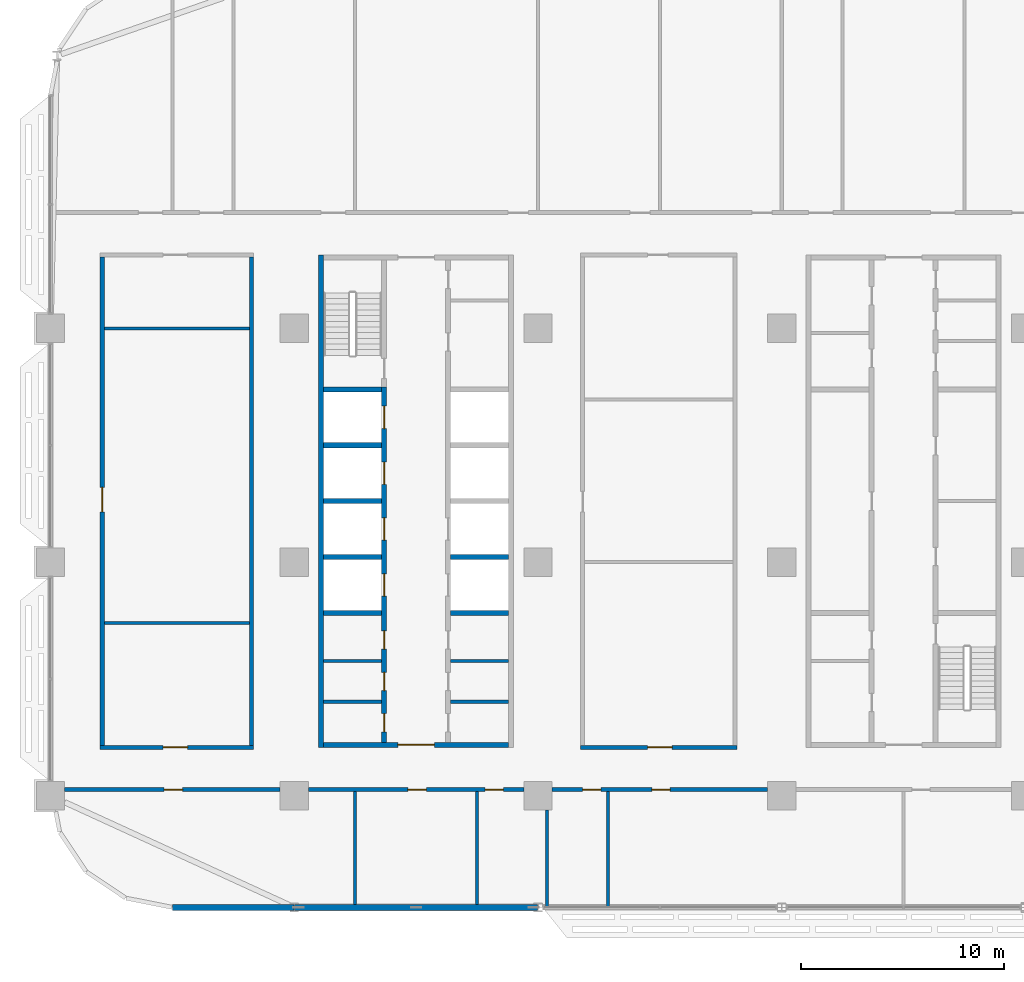
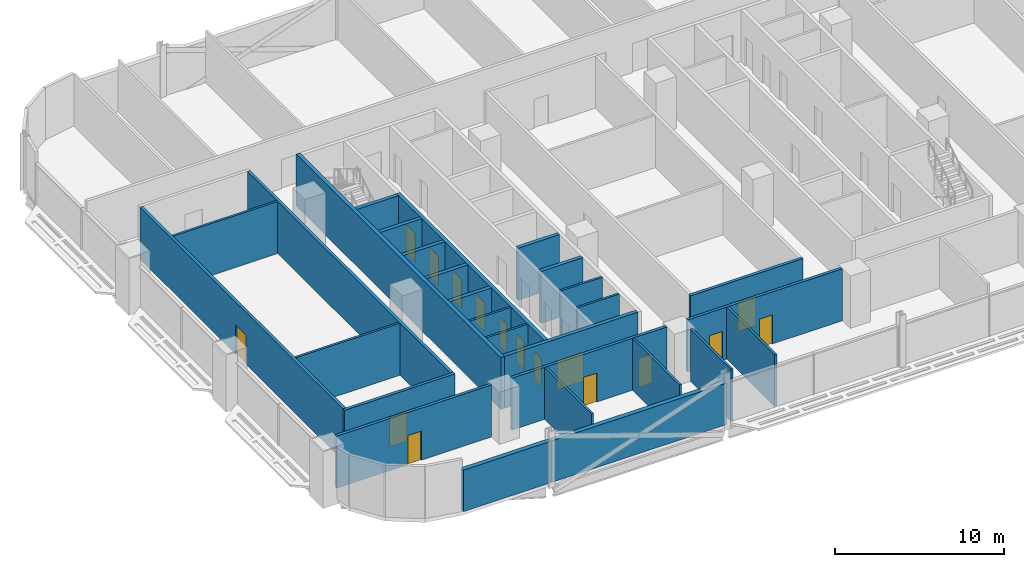
# One storey, part 12 of 29: 29 walls, 16 doors, 16 openings.
"""IFC4 building model written with IfcOpenShell, lengths in metres."""

from ifc_helpers import new_model, si_unit, direction, frame, frame_2d, origin, place, context, subcontext, project, spatial, rectangle, extrude, material, layer, layer_set, type_object, element, fill, save


model = new_model("IFC4")

# Units and contexts
model_context = context("Model", 3, precision=1e-05, world=origin(), true_north=direction((0.0, 1.0)))
body_context = subcontext(model_context, "Body", "Model", "MODEL_VIEW")
ifc_project = project(units=[si_unit("LENGTHUNIT", "METRE"), si_unit("AREAUNIT", "SQUARE_METRE"), si_unit("VOLUMEUNIT", "CUBIC_METRE"), si_unit("PLANEANGLEUNIT", "RADIAN"), si_unit("MASSUNIT", "GRAM", prefix="KILO")], contexts=[model_context])

# Site, building, storey
site_placement = place(None, origin())
site = spatial("IfcSite", under=ifc_project, at=site_placement, CompositionType="ELEMENT")
building_placement = place(site_placement, origin())
building = spatial("IfcBuilding", under=site, at=building_placement, Name="Mahtab Terrace Research Tower", CompositionType="ELEMENT")
storey_placement = place(building_placement, frame((0.0, 0.0, 105.300048828125)))
storey = spatial("IfcBuildingStorey", under=building, at=storey_placement, Name="L24", CompositionType="ELEMENT", Elevation=105.300048828125)

# Walls
ifc_material_1 = material(Name="Gypsum board partition")
ifc_layer_1 = layer(ifc_material_1, 0.14990234375)
ifc_layer_set_1 = layer_set([ifc_layer_1], Name="Core partition 150")
wall_type_1 = type_object("IfcWallType", Name="Core partition 150", PredefinedType="PARTITIONING", material=ifc_layer_set_1)
for number, where, z_axis, x_axis, name in (
    (1, (-28.550048828125, -6.875, 0.0), (0.0, 0.0, 1.0), (1.0, 0.0, 0.0), "Core wall A pWS-988"),
    (2, (-28.550048828125, -4.875, 0.0), (0.0, 0.0, 1.0), (1.0, 0.0, 0.0), "Core wall A pWS-788"),
    (3, (-22.300048828125, -6.875, 0.0), (0.0, 0.0, 1.0), (1.0, 0.0, 0.0), "Core wall A pES-988"),
    (4, (-22.300048828125, -4.875, 0.0), (0.0, 0.0, 1.0), (1.0, 0.0, 0.0), "Core wall A pES-788"),
):
    element("IfcWall", number, at=place(storey_placement, frame(where, z_axis=z_axis, x_axis=x_axis)), inside=storey, type_object=wall_type_1, Name=name, PredefinedType="PARTITIONING", context=body_context, shape_type="SweptSolid", body=[
        extrude(rectangle(XDim=2.85009765625, YDim=0.14990234375, at=frame_2d((1.425048828125, 0.0))), origin(), (0.0, 0.0, 1.0), 3.760009765625),
    ])
ifc_material_2 = material(Name="Concrete C70/85", Category="concrete")
ifc_layer_2 = layer(ifc_material_2, 0.25)
ifc_layer_set_2 = layer_set([ifc_layer_2], Name="Core wall 250")
wall_type_2 = type_object("IfcWallType", Name="Core wall 250", PredefinedType="SOLIDWALL", material=ifc_layer_set_2)
wall_1_placement = place(storey_placement, frame((-28.675048828125, 15.125, 0.0), z_axis=(0.0, 0.0, 1.0), x_axis=(0.0, -1.0, 0.0)))
element("IfcWall", 5, at=wall_1_placement, inside=storey, type_object=wall_type_2, Name="Core wall A outerW", PredefinedType="SOLIDWALL", context=body_context, shape_type="SweptSolid", body=[
    extrude(rectangle(XDim=24.25, YDim=0.25, at=frame_2d((12.125, 0.0))), origin(), (0.0, 0.0, 1.0), 3.760009765625),
])

# Wall, opening, door
wall_2_placement = place(storey_placement, frame((-19.449951171875, -9.0, 0.0), z_axis=(0.0, 0.0, 1.0), x_axis=(-1.0, 0.0, 0.0)))
wall_2 = element("IfcWall", 6, at=wall_2_placement, inside=storey, type_object=wall_type_2, Name="Core wall A endS", PredefinedType="SOLIDWALL", context=body_context, shape_type="SweptSolid", body=[
    extrude(rectangle(XDim=9.10009765625, YDim=0.25, at=frame_2d((4.550048828125, 0.0))), origin(), (0.0, 0.0, 1.0), 3.760009765625),
])
opening_1_placement = place(wall_2_placement, frame((3.64990234375, 0.0, 0.0)))
opening_1 = element("IfcOpeningElement", 7, at=opening_1_placement, cuts=wall_2, Name="Opening A-S1", PredefinedType="OPENING", context=body_context, shape_type="SweptSolid", body=[
    extrude(rectangle(XDim=1.800048828125, YDim=2.10009765625, at=frame_2d((0.89990234375, 1.050048828125))), frame((0.0, 0.135009765625, 0.0), z_axis=(0.0, -1.0, 0.0), x_axis=(1.0, 0.0, 0.0)), (0.0, 0.0, 1.0), 0.27001953125),
])
ifc_material_3 = material(Name="Steel fire door", Category="steel")
door_type_1 = type_object("IfcDoorType", Name="Lobby double door 1800x2100 1 HR", OperationType="DOUBLE_DOOR_SINGLE_SWING", PredefinedType="DOOR", material=ifc_material_3)
door_1_placement = place(opening_1_placement, origin())
door_1 = element("IfcDoor", 8, at=door_1_placement, inside=storey, type_object=door_type_1, Name="Core entrance door A S", OperationType="DOUBLE_DOOR_SINGLE_SWING", OverallHeight=2.10009765625, OverallWidth=1.800048828125, PredefinedType="DOOR", context=body_context, shape_type="SweptSolid", body=[
    extrude(rectangle(XDim=1.800048828125, YDim=2.10009765625, at=frame_2d((0.89990234375, 1.050048828125))), frame((0.0, 0.02490234375, 0.0), z_axis=(0.0, -1.0, 0.0), x_axis=(1.0, 0.0, 0.0)), (0.0, 0.0, 1.0), 0.050048828125),
])
fill(opening_1, door_1)

# Wall, openings, doors
wall_3_placement = place(storey_placement, frame((-25.574951171875, -8.875, 0.0), z_axis=(0.0, 0.0, 1.0), x_axis=(0.0, 1.0, 0.0)))
wall_3 = element("IfcWall", 9, at=wall_3_placement, inside=storey, type_object=wall_type_2, Name="Core wall A innerWSL", PredefinedType="SOLIDWALL", context=body_context, shape_type="SweptSolid", body=[
    extrude(rectangle(XDim=17.5, YDim=0.25, at=frame_2d((8.75, 0.0))), origin(), (0.0, 0.0, 1.0), 3.760009765625),
])
opening_2_placement = place(wall_3_placement, frame((7.199951171875, 0.0, 0.0)))
opening_2 = element("IfcOpeningElement", 10, at=opening_2_placement, cuts=wall_3, Name="Opening LD01-L24", PredefinedType="OPENING", context=body_context, shape_type="SweptSolid", body=[
    extrude(rectangle(XDim=1.10009765625, YDim=2.10009765625, at=frame_2d((0.550048828125, 1.050048828125))), frame((0.0, 0.135009765625, 0.0), z_axis=(0.0, -1.0, 0.0), x_axis=(1.0, 0.0, 0.0)), (0.0, 0.0, 1.0), 0.27001953125),
])
opening_3_placement = place(wall_3_placement, frame((9.949951171875, 0.0, 0.0)))
opening_3 = element("IfcOpeningElement", 11, at=opening_3_placement, cuts=wall_3, Name="Opening LD02-L24", PredefinedType="OPENING", context=body_context, shape_type="SweptSolid", body=[
    extrude(rectangle(XDim=1.10009765625, YDim=2.10009765625, at=frame_2d((0.550048828125, 1.050048828125))), frame((0.0, 0.135009765625, 0.0), z_axis=(0.0, -1.0, 0.0), x_axis=(1.0, 0.0, 0.0)), (0.0, 0.0, 1.0), 0.27001953125),
])
opening_4_placement = place(wall_3_placement, frame((12.699951171875, 0.0, 0.0)))
opening_4 = element("IfcOpeningElement", 12, at=opening_4_placement, cuts=wall_3, Name="Opening LD03-L24", PredefinedType="OPENING", context=body_context, shape_type="SweptSolid", body=[
    extrude(rectangle(XDim=1.10009765625, YDim=2.10009765625, at=frame_2d((0.550048828125, 1.050048828125))), frame((0.0, 0.135009765625, 0.0), z_axis=(0.0, -1.0, 0.0), x_axis=(1.0, 0.0, 0.0)), (0.0, 0.0, 1.0), 0.27001953125),
])
opening_5_placement = place(wall_3_placement, frame((15.449951171875, 0.0, 0.0)))
opening_5 = element("IfcOpeningElement", 13, at=opening_5_placement, cuts=wall_3, Name="Opening LD04-L24", PredefinedType="OPENING", context=body_context, shape_type="SweptSolid", body=[
    extrude(rectangle(XDim=1.10009765625, YDim=2.10009765625, at=frame_2d((0.550048828125, 1.050048828125))), frame((0.0, 0.135009765625, 0.0), z_axis=(0.0, -1.0, 0.0), x_axis=(1.0, 0.0, 0.0)), (0.0, 0.0, 1.0), 0.27001953125),
])
opening_6_placement = place(wall_3_placement, frame((0.512451171875, 0.0, 0.0)))
opening_6 = element("IfcOpeningElement", 14, at=opening_6_placement, cuts=wall_3, Name="Opening A-R1", PredefinedType="OPENING", context=body_context, shape_type="SweptSolid", body=[
    extrude(rectangle(XDim=0.89990234375, YDim=2.10009765625, at=frame_2d((0.449951171875, 1.050048828125))), frame((0.0, 0.135009765625, 0.0), z_axis=(0.0, -1.0, 0.0), x_axis=(1.0, 0.0, 0.0)), (0.0, 0.0, 1.0), 0.27001953125),
])
opening_7_placement = place(wall_3_placement, frame((2.550048828125, 0.0, 0.0)))
opening_7 = element("IfcOpeningElement", 15, at=opening_7_placement, cuts=wall_3, Name="Opening A-R2", PredefinedType="OPENING", context=body_context, shape_type="SweptSolid", body=[
    extrude(rectangle(XDim=0.89990234375, YDim=2.10009765625, at=frame_2d((0.449951171875, 1.050048828125))), frame((0.0, 0.135009765625, 0.0), z_axis=(0.0, -1.0, 0.0), x_axis=(1.0, 0.0, 0.0)), (0.0, 0.0, 1.0), 0.27001953125),
])
opening_8_placement = place(wall_3_placement, frame((4.58740234375, 0.0, 0.0)))
opening_8 = element("IfcOpeningElement", 16, at=opening_8_placement, cuts=wall_3, Name="Opening A-R3", PredefinedType="OPENING", context=body_context, shape_type="SweptSolid", body=[
    extrude(rectangle(XDim=0.89990234375, YDim=2.10009765625, at=frame_2d((0.449951171875, 1.050048828125))), frame((0.0, 0.135009765625, 0.0), z_axis=(0.0, -1.0, 0.0), x_axis=(1.0, 0.0, 0.0)), (0.0, 0.0, 1.0), 0.27001953125),
])
ifc_material_4 = material(Name="Stainless steel AISI 304", Category="steel")
door_type_2 = type_object("IfcDoorType", Name="Landing door 1100x2100", OperationType="DOUBLE_DOOR_SLIDING", PredefinedType="DOOR", material=ifc_material_4)
door_2_placement = place(opening_2_placement, origin())
door_2 = element("IfcDoor", 17, at=door_2_placement, inside=storey, type_object=door_type_2, Name="Landing door LR1 L24", OperationType="DOUBLE_DOOR_SLIDING", OverallHeight=2.10009765625, OverallWidth=1.10009765625, PredefinedType="DOOR", context=body_context, shape_type="SweptSolid", body=[
    extrude(rectangle(XDim=1.10009765625, YDim=2.10009765625, at=frame_2d((0.550048828125, 1.050048828125))), frame((0.0, 0.02490234375, 0.0), z_axis=(0.0, -1.0, 0.0), x_axis=(1.0, 0.0, 0.0)), (0.0, 0.0, 1.0), 0.050048828125),
])
fill(opening_2, door_2)
door_3_placement = place(opening_3_placement, origin())
door_3 = element("IfcDoor", 18, at=door_3_placement, inside=storey, type_object=door_type_2, Name="Landing door LR2 L24", OperationType="DOUBLE_DOOR_SLIDING", OverallHeight=2.10009765625, OverallWidth=1.10009765625, PredefinedType="DOOR", context=body_context, shape_type="SweptSolid", body=[
    extrude(rectangle(XDim=1.10009765625, YDim=2.10009765625, at=frame_2d((0.550048828125, 1.050048828125))), frame((0.0, 0.02490234375, 0.0), z_axis=(0.0, -1.0, 0.0), x_axis=(1.0, 0.0, 0.0)), (0.0, 0.0, 1.0), 0.050048828125),
])
fill(opening_3, door_3)
door_4_placement = place(opening_4_placement, origin())
door_4 = element("IfcDoor", 19, at=door_4_placement, inside=storey, type_object=door_type_2, Name="Landing door LR3 L24", OperationType="DOUBLE_DOOR_SLIDING", OverallHeight=2.10009765625, OverallWidth=1.10009765625, PredefinedType="DOOR", context=body_context, shape_type="SweptSolid", body=[
    extrude(rectangle(XDim=1.10009765625, YDim=2.10009765625, at=frame_2d((0.550048828125, 1.050048828125))), frame((0.0, 0.02490234375, 0.0), z_axis=(0.0, -1.0, 0.0), x_axis=(1.0, 0.0, 0.0)), (0.0, 0.0, 1.0), 0.050048828125),
])
fill(opening_4, door_4)
door_5_placement = place(opening_5_placement, origin())
door_5 = element("IfcDoor", 20, at=door_5_placement, inside=storey, type_object=door_type_2, Name="Landing door LR4 L24", OperationType="DOUBLE_DOOR_SLIDING", OverallHeight=2.10009765625, OverallWidth=1.10009765625, PredefinedType="DOOR", context=body_context, shape_type="SweptSolid", body=[
    extrude(rectangle(XDim=1.10009765625, YDim=2.10009765625, at=frame_2d((0.550048828125, 1.050048828125))), frame((0.0, 0.02490234375, 0.0), z_axis=(0.0, -1.0, 0.0), x_axis=(1.0, 0.0, 0.0)), (0.0, 0.0, 1.0), 0.050048828125),
])
fill(opening_5, door_5)
door_type_3 = type_object("IfcDoorType", Name="Room door 900x2100 1 HR", OperationType="NOTDEFINED", PredefinedType="DOOR", material=ifc_material_3)
door_6_placement = place(opening_6_placement, origin())
door_6 = element("IfcDoor", 21, at=door_6_placement, inside=storey, type_object=door_type_3, Name="Male WC door", OperationType="SINGLE_SWING_LEFT", OverallHeight=2.10009765625, OverallWidth=0.89990234375, PredefinedType="DOOR", context=body_context, shape_type="SweptSolid", body=[
    extrude(rectangle(XDim=0.89990234375, YDim=2.10009765625, at=frame_2d((0.449951171875, 1.050048828125))), frame((0.0, 0.02490234375, 0.0), z_axis=(0.0, -1.0, 0.0), x_axis=(1.0, 0.0, 0.0)), (0.0, 0.0, 1.0), 0.050048828125),
])
fill(opening_6, door_6)
door_7_placement = place(opening_7_placement, origin())
door_7 = element("IfcDoor", 22, at=door_7_placement, inside=storey, type_object=door_type_3, Name="Female WC door", OperationType="SINGLE_SWING_RIGHT", OverallHeight=2.10009765625, OverallWidth=0.89990234375, PredefinedType="DOOR", context=body_context, shape_type="SweptSolid", body=[
    extrude(rectangle(XDim=0.89990234375, YDim=2.10009765625, at=frame_2d((0.449951171875, 1.050048828125))), frame((0.0, 0.02490234375, 0.0), z_axis=(0.0, -1.0, 0.0), x_axis=(1.0, 0.0, 0.0)), (0.0, 0.0, 1.0), 0.050048828125),
])
fill(opening_7, door_7)
door_8_placement = place(opening_8_placement, origin())
door_8 = element("IfcDoor", 23, at=door_8_placement, inside=storey, type_object=door_type_3, Name="Accessible WC door", OperationType="SINGLE_SWING_LEFT", OverallHeight=2.10009765625, OverallWidth=0.89990234375, PredefinedType="DOOR", context=body_context, shape_type="SweptSolid", body=[
    extrude(rectangle(XDim=0.89990234375, YDim=2.10009765625, at=frame_2d((0.449951171875, 1.050048828125))), frame((0.0, 0.02490234375, 0.0), z_axis=(0.0, -1.0, 0.0), x_axis=(1.0, 0.0, 0.0)), (0.0, 0.0, 1.0), 0.050048828125),
])
fill(opening_8, door_8)

# Walls
for number, where, z_axis, x_axis, name in (
    (24, (-28.550048828125, -2.5, 0.0), (0.0, 0.0, 1.0), (1.0, 0.0, 0.0), "Core wall A divW0"),
    (25, (-28.550048828125, 0.25, 0.0), (0.0, 0.0, 1.0), (1.0, 0.0, 0.0), "Core wall A divW1"),
    (26, (-28.550048828125, 3.0, 0.0), (0.0, 0.0, 1.0), (1.0, 0.0, 0.0), "Core wall A divW2"),
    (27, (-28.550048828125, 5.75, 0.0), (0.0, 0.0, 1.0), (1.0, 0.0, 0.0), "Core wall A divW3"),
    (28, (-28.550048828125, 8.5, 0.0), (0.0, 0.0, 1.0), (1.0, 0.0, 0.0), "Core wall A divW4"),
    (29, (-22.300048828125, -2.5, 0.0), (0.0, 0.0, 1.0), (1.0, 0.0, 0.0), "Core wall A divE0"),
    (30, (-22.300048828125, 0.25, 0.0), (0.0, 0.0, 1.0), (1.0, 0.0, 0.0), "Core wall A divE1"),
):
    element("IfcWall", number, at=place(storey_placement, frame(where, z_axis=z_axis, x_axis=x_axis)), inside=storey, type_object=wall_type_2, Name=name, PredefinedType="SOLIDWALL", context=body_context, shape_type="SweptSolid", body=[
        extrude(rectangle(XDim=2.85009765625, YDim=0.25, at=frame_2d((1.425048828125, 0.0))), origin(), (0.0, 0.0, 1.0), 3.760009765625),
    ])
ifc_material_5 = material(Name="Black aluminium cladding panel", Category="aluminium")
ifc_layer_3 = layer(ifc_material_5, 0.300048828125)
ifc_layer_set_3 = layer_set([ifc_layer_3], Name="Opaque facade wall 300")
wall_type_3 = type_object("IfcWallType", Name="Opaque facade wall 300", PredefinedType="NOTDEFINED", material=ifc_layer_set_3)
wall_4_placement = place(storey_placement, frame((-36.0, -17.0, 0.0), z_axis=(0.0, 0.0, 1.0), x_axis=(1.0, 0.0, 0.0)))
element("IfcWall", 31, at=wall_4_placement, inside=storey, type_object=wall_type_3, Name="Opaque facade wall L24 S23", PredefinedType="NOTDEFINED", context=body_context, shape_type="SweptSolid", body=[
    extrude(rectangle(XDim=5.97900390625, YDim=0.300048828125, at=frame_2d((2.989501953125, 0.0))), origin(), (0.0, 0.0, 1.0), 3.0029296875),
])
wall_5_placement = place(storey_placement, frame((-29.97900390625, -17.0, 0.0), z_axis=(0.0, 0.0, 1.0), x_axis=(1.0, 0.0, 0.0)))
element("IfcWall", 32, at=wall_5_placement, inside=storey, type_object=wall_type_3, Name="Opaque facade wall L24 S24", PredefinedType="NOTDEFINED", context=body_context, shape_type="SweptSolid", body=[
    extrude(rectangle(XDim=11.9580078125, YDim=0.300048828125, at=frame_2d((5.97900390625, 0.0))), origin(), (0.0, 0.0, 1.0), 3.0029296875),
])

# Wall, opening, door
ifc_material_6 = material(Name="Gypsum board corridor wall on steel studs", Category="steel")
ifc_layer_4 = layer(ifc_material_6, 0.199951171875)
ifc_layer_set_4 = layer_set([ifc_layer_4], Name="WALL CORRIDOR 200")
wall_type_4 = type_object("IfcWallType", Name="WALL CORRIDOR 200", PredefinedType="PARTITIONING", material=ifc_layer_set_4)
wall_6_placement = place(storey_placement, frame((-41.300048828125, -11.199951171875, 0.0), z_axis=(0.0, 0.0, 1.0), x_axis=(1.0, 0.0, 0.0)))
wall_6 = element("IfcWall", 33, at=wall_6_placement, inside=storey, type_object=wall_type_4, Name="L24-W001", PredefinedType="PARTITIONING", context=body_context, shape_type="SweptSolid", body=[
    extrude(rectangle(XDim=10.60009765625, YDim=0.199951171875, at=frame_2d((5.300048828125, 0.0))), origin(), (0.0, 0.0, 1.0), 3.760009765625),
])
opening_9_placement = place(wall_6_placement, frame((4.89990234375, 0.0, 0.0)))
opening_9 = element("IfcOpeningElement", 34, at=opening_9_placement, cuts=wall_6, Name="Opening L24-101", PredefinedType="OPENING", context=body_context, shape_type="SweptSolid", body=[
    extrude(rectangle(XDim=0.89990234375, YDim=2.10009765625, at=frame_2d((0.449951171875, 1.050048828125))), frame((0.0, 0.10986328125, 0.0), z_axis=(0.0, -1.0, 0.0), x_axis=(1.0, 0.0, 0.0)), (0.0, 0.0, 1.0), 0.219970703125),
])
ifc_material_7 = material(Name="Timber door leaf in steel frame", Category="steel")
door_type_4 = type_object("IfcDoorType", Name="DOOR 0900X2100 FD30S", OperationType="SINGLE_SWING_LEFT", PredefinedType="DOOR", material=ifc_material_7)
door_9_placement = place(opening_9_placement, origin())
door_9 = element("IfcDoor", 35, at=door_9_placement, inside=storey, type_object=door_type_4, Name="Door L24-101", OperationType="SINGLE_SWING_LEFT", OverallHeight=2.10009765625, OverallWidth=0.89990234375, PredefinedType="DOOR", context=body_context, shape_type="SweptSolid", body=[
    extrude(rectangle(XDim=0.89990234375, YDim=2.10009765625, at=frame_2d((0.449951171875, 1.050048828125))), frame((0.0, 0.02490234375, 0.0), z_axis=(0.0, -1.0, 0.0), x_axis=(1.0, 0.0, 0.0)), (0.0, 0.0, 1.0), 0.050048828125),
])
fill(opening_9, door_9)

# Wall, openings, doors
wall_7_placement = place(storey_placement, frame((-29.300048828125, -11.199951171875, 0.0), z_axis=(0.0, 0.0, 1.0), x_axis=(1.0, 0.0, 0.0)))
wall_7 = element("IfcWall", 36, at=wall_7_placement, inside=storey, type_object=wall_type_4, Name="L24-W002", PredefinedType="PARTITIONING", context=body_context, shape_type="SweptSolid", body=[
    extrude(rectangle(XDim=10.60009765625, YDim=0.199951171875, at=frame_2d((5.300048828125, 0.0))), origin(), (0.0, 0.0, 1.0), 3.760009765625),
])
opening_10_placement = place(wall_7_placement, frame((4.89990234375, 0.0, 0.0)))
opening_10 = element("IfcOpeningElement", 37, at=opening_10_placement, cuts=wall_7, Name="Opening L24-102", PredefinedType="OPENING", context=body_context, shape_type="SweptSolid", body=[
    extrude(rectangle(XDim=0.89990234375, YDim=2.10009765625, at=frame_2d((0.449951171875, 1.050048828125))), frame((0.0, 0.10986328125, 0.0), z_axis=(0.0, -1.0, 0.0), x_axis=(1.0, 0.0, 0.0)), (0.0, 0.0, 1.0), 0.219970703125),
])
opening_11_placement = place(wall_7_placement, frame((8.699951171875, 0.0, 0.0)))
opening_11 = element("IfcOpeningElement", 38, at=opening_11_placement, cuts=wall_7, Name="Opening L24-103", PredefinedType="OPENING", context=body_context, shape_type="SweptSolid", body=[
    extrude(rectangle(XDim=0.89990234375, YDim=2.10009765625, at=frame_2d((0.449951171875, 1.050048828125))), frame((0.0, 0.10986328125, 0.0), z_axis=(0.0, -1.0, 0.0), x_axis=(1.0, 0.0, 0.0)), (0.0, 0.0, 1.0), 0.219970703125),
])
door_10_placement = place(opening_10_placement, origin())
door_10 = element("IfcDoor", 39, at=door_10_placement, inside=storey, type_object=door_type_4, Name="Door L24-102", OperationType="SINGLE_SWING_LEFT", OverallHeight=2.10009765625, OverallWidth=0.89990234375, PredefinedType="DOOR", context=body_context, shape_type="SweptSolid", body=[
    extrude(rectangle(XDim=0.89990234375, YDim=2.10009765625, at=frame_2d((0.449951171875, 1.050048828125))), frame((0.0, 0.02490234375, 0.0), z_axis=(0.0, -1.0, 0.0), x_axis=(1.0, 0.0, 0.0)), (0.0, 0.0, 1.0), 0.050048828125),
])
fill(opening_10, door_10)
door_11_placement = place(opening_11_placement, origin())
door_11 = element("IfcDoor", 40, at=door_11_placement, inside=storey, type_object=door_type_4, Name="Door L24-103", OperationType="SINGLE_SWING_LEFT", OverallHeight=2.10009765625, OverallWidth=0.89990234375, PredefinedType="DOOR", context=body_context, shape_type="SweptSolid", body=[
    extrude(rectangle(XDim=0.89990234375, YDim=2.10009765625, at=frame_2d((0.449951171875, 1.050048828125))), frame((0.0, 0.02490234375, 0.0), z_axis=(0.0, -1.0, 0.0), x_axis=(1.0, 0.0, 0.0)), (0.0, 0.0, 1.0), 0.050048828125),
])
fill(opening_11, door_11)

wall_8_placement = place(storey_placement, frame((-17.300048828125, -11.199951171875, 0.0), z_axis=(0.0, 0.0, 1.0), x_axis=(1.0, 0.0, 0.0)))
wall_8 = element("IfcWall", 41, at=wall_8_placement, inside=storey, type_object=wall_type_4, Name="L24-W003", PredefinedType="PARTITIONING", context=body_context, shape_type="SweptSolid", body=[
    extrude(rectangle(XDim=10.60009765625, YDim=0.199951171875, at=frame_2d((5.300048828125, 0.0))), origin(), (0.0, 0.0, 1.0), 3.760009765625),
])
opening_12_placement = place(wall_8_placement, frame((1.5, 0.0, 0.0)))
opening_12 = element("IfcOpeningElement", 42, at=opening_12_placement, cuts=wall_8, Name="Opening L24-104", PredefinedType="OPENING", context=body_context, shape_type="SweptSolid", body=[
    extrude(rectangle(XDim=0.89990234375, YDim=2.10009765625, at=frame_2d((0.449951171875, 1.050048828125))), frame((0.0, 0.10986328125, 0.0), z_axis=(0.0, -1.0, 0.0), x_axis=(1.0, 0.0, 0.0)), (0.0, 0.0, 1.0), 0.219970703125),
])
opening_13_placement = place(wall_8_placement, frame((4.89990234375, 0.0, 0.0)))
opening_13 = element("IfcOpeningElement", 43, at=opening_13_placement, cuts=wall_8, Name="Opening L24-105", PredefinedType="OPENING", context=body_context, shape_type="SweptSolid", body=[
    extrude(rectangle(XDim=0.89990234375, YDim=2.10009765625, at=frame_2d((0.449951171875, 1.050048828125))), frame((0.0, 0.10986328125, 0.0), z_axis=(0.0, -1.0, 0.0), x_axis=(1.0, 0.0, 0.0)), (0.0, 0.0, 1.0), 0.219970703125),
])
door_12_placement = place(opening_12_placement, origin())
door_12 = element("IfcDoor", 44, at=door_12_placement, inside=storey, type_object=door_type_4, Name="Door L24-104", OperationType="SINGLE_SWING_RIGHT", OverallHeight=2.10009765625, OverallWidth=0.89990234375, PredefinedType="DOOR", context=body_context, shape_type="SweptSolid", body=[
    extrude(rectangle(XDim=0.89990234375, YDim=2.10009765625, at=frame_2d((0.449951171875, 1.050048828125))), frame((0.0, 0.02490234375, 0.0), z_axis=(0.0, -1.0, 0.0), x_axis=(1.0, 0.0, 0.0)), (0.0, 0.0, 1.0), 0.050048828125),
])
fill(opening_12, door_12)
door_13_placement = place(opening_13_placement, origin())
door_13 = element("IfcDoor", 45, at=door_13_placement, inside=storey, type_object=door_type_4, Name="Door L24-105", OperationType="SINGLE_SWING_LEFT", OverallHeight=2.10009765625, OverallWidth=0.89990234375, PredefinedType="DOOR", context=body_context, shape_type="SweptSolid", body=[
    extrude(rectangle(XDim=0.89990234375, YDim=2.10009765625, at=frame_2d((0.449951171875, 1.050048828125))), frame((0.0, 0.02490234375, 0.0), z_axis=(0.0, -1.0, 0.0), x_axis=(1.0, 0.0, 0.0)), (0.0, 0.0, 1.0), 0.050048828125),
])
fill(opening_13, door_13)

# Wall, opening, door
wall_9_placement = place(storey_placement, frame((-39.550048828125, -9.125, 0.0), z_axis=(0.0, 0.0, 1.0), x_axis=(1.0, 0.0, 0.0)))
wall_9 = element("IfcWall", 46, at=wall_9_placement, inside=storey, type_object=wall_type_4, Name="L24-W009", PredefinedType="PARTITIONING", context=body_context, shape_type="SweptSolid", body=[
    extrude(rectangle(XDim=7.550048828125, YDim=0.199951171875, at=frame_2d((3.77490234375, 0.0))), origin(), (0.0, 0.0, 1.0), 3.760009765625),
])
opening_14_placement = place(wall_9_placement, frame((3.10009765625, 0.0, 0.0)))
opening_14 = element("IfcOpeningElement", 47, at=opening_14_placement, cuts=wall_9, Name="Opening L24-114", PredefinedType="OPENING", context=body_context, shape_type="SweptSolid", body=[
    extrude(rectangle(XDim=1.199951171875, YDim=2.10009765625, at=frame_2d((0.60009765625, 1.050048828125))), frame((0.0, 0.10986328125, 0.0), z_axis=(0.0, -1.0, 0.0), x_axis=(1.0, 0.0, 0.0)), (0.0, 0.0, 1.0), 0.219970703125),
])
door_type_5 = type_object("IfcDoorType", Name="DOOR 1200X2100 FD30S", OperationType="SINGLE_SWING_LEFT", PredefinedType="DOOR", material=ifc_material_7)
door_14_placement = place(opening_14_placement, origin())
door_14 = element("IfcDoor", 48, at=door_14_placement, inside=storey, type_object=door_type_5, Name="Door L24-114", OperationType="SINGLE_SWING_LEFT", OverallHeight=2.10009765625, OverallWidth=1.199951171875, PredefinedType="DOOR", context=body_context, shape_type="SweptSolid", body=[
    extrude(rectangle(XDim=1.199951171875, YDim=2.10009765625, at=frame_2d((0.60009765625, 1.050048828125))), frame((0.0, 0.02490234375, 0.0), z_axis=(0.0, -1.0, 0.0), x_axis=(1.0, 0.0, 0.0)), (0.0, 0.0, 1.0), 0.050048828125),
])
fill(opening_14, door_14)

wall_10_placement = place(storey_placement, frame((-15.89990234375, -9.125, 0.0), z_axis=(0.0, 0.0, 1.0), x_axis=(1.0, 0.0, 0.0)))
wall_10 = element("IfcWall", 49, at=wall_10_placement, inside=storey, type_object=wall_type_4, Name="L24-W010", PredefinedType="PARTITIONING", context=body_context, shape_type="SweptSolid", body=[
    extrude(rectangle(XDim=7.699951171875, YDim=0.199951171875, at=frame_2d((3.85009765625, 0.0))), origin(), (0.0, 0.0, 1.0), 3.760009765625),
])
opening_15_placement = place(wall_10_placement, frame((3.300048828125, 0.0, 0.0)))
opening_15 = element("IfcOpeningElement", 50, at=opening_15_placement, cuts=wall_10, Name="Opening L24-116", PredefinedType="OPENING", context=body_context, shape_type="SweptSolid", body=[
    extrude(rectangle(XDim=1.199951171875, YDim=2.10009765625, at=frame_2d((0.60009765625, 1.050048828125))), frame((0.0, 0.10986328125, 0.0), z_axis=(0.0, -1.0, 0.0), x_axis=(1.0, 0.0, 0.0)), (0.0, 0.0, 1.0), 0.219970703125),
])
door_15_placement = place(opening_15_placement, origin())
door_15 = element("IfcDoor", 51, at=door_15_placement, inside=storey, type_object=door_type_5, Name="Door L24-116", OperationType="SINGLE_SWING_RIGHT", OverallHeight=2.10009765625, OverallWidth=1.199951171875, PredefinedType="DOOR", context=body_context, shape_type="SweptSolid", body=[
    extrude(rectangle(XDim=1.199951171875, YDim=2.10009765625, at=frame_2d((0.60009765625, 1.050048828125))), frame((0.0, 0.02490234375, 0.0), z_axis=(0.0, -1.0, 0.0), x_axis=(1.0, 0.0, 0.0)), (0.0, 0.0, 1.0), 0.050048828125),
])
fill(opening_15, door_15)

wall_11_placement = place(storey_placement, frame((-39.449951171875, -9.02490234375, 0.0), z_axis=(0.0, 0.0, 1.0), x_axis=(0.0, 1.0, 0.0)))
wall_11 = element("IfcWall", 52, at=wall_11_placement, inside=storey, type_object=wall_type_4, Name="L24-W027", PredefinedType="PARTITIONING", context=body_context, shape_type="SweptSolid", body=[
    extrude(rectangle(XDim=24.0498046875, YDim=0.199951171875, at=frame_2d((12.02490234375, 0.0))), origin(), (0.0, 0.0, 1.0), 3.760009765625),
])
opening_16_placement = place(wall_11_placement, frame((11.5, 0.0, 0.0)))
opening_16 = element("IfcOpeningElement", 53, at=opening_16_placement, cuts=wall_11, Name="Opening L24-118", PredefinedType="OPENING", context=body_context, shape_type="SweptSolid", body=[
    extrude(rectangle(XDim=1.199951171875, YDim=2.10009765625, at=frame_2d((0.60009765625, 1.050048828125))), frame((0.0, 0.10986328125, 0.0), z_axis=(0.0, -1.0, 0.0), x_axis=(1.0, 0.0, 0.0)), (0.0, 0.0, 1.0), 0.219970703125),
])
door_16_placement = place(opening_16_placement, origin())
door_16 = element("IfcDoor", 54, at=door_16_placement, inside=storey, type_object=door_type_5, Name="Door L24-118", OperationType="SINGLE_SWING_LEFT", OverallHeight=2.10009765625, OverallWidth=1.199951171875, PredefinedType="DOOR", context=body_context, shape_type="SweptSolid", body=[
    extrude(rectangle(XDim=1.199951171875, YDim=2.10009765625, at=frame_2d((0.60009765625, 1.050048828125))), frame((0.0, 0.02490234375, 0.0), z_axis=(0.0, -1.0, 0.0), x_axis=(1.0, 0.0, 0.0)), (0.0, 0.0, 1.0), 0.050048828125),
])
fill(opening_16, door_16)

# Walls
wall_12_placement = place(storey_placement, frame((-32.10009765625, -9.02490234375, 0.0), z_axis=(0.0, 0.0, 1.0), x_axis=(0.0, 1.0, 0.0)))
element("IfcWall", 55, at=wall_12_placement, inside=storey, type_object=wall_type_4, Name="L24-W030", PredefinedType="PARTITIONING", context=body_context, shape_type="SweptSolid", body=[
    extrude(rectangle(XDim=24.0498046875, YDim=0.199951171875, at=frame_2d((12.02490234375, 0.0))), origin(), (0.0, 0.0, 1.0), 3.760009765625),
])
ifc_material_8 = material(Name="Gypsum board partition on steel studs", Category="steel")
ifc_layer_5 = layer(ifc_material_8, 0.14990234375)
ifc_layer_set_5 = layer_set([ifc_layer_5], Name="WALL PARTITION 150")
wall_type_5 = type_object("IfcWallType", Name="WALL PARTITION 150", PredefinedType="PARTITIONING", material=ifc_layer_set_5)
for number, where, z_axis, x_axis, name in (
    (56, (-39.35009765625, -3.0, 0.0), (0.0, 0.0, 1.0), (1.0, 0.0, 0.0), "L24-W013"),
    (57, (-39.35009765625, 11.5, 0.0), (0.0, 0.0, 1.0), (1.0, 0.0, 0.0), "L24-W020"),
):
    element("IfcWall", number, at=place(storey_placement, frame(where, z_axis=z_axis, x_axis=x_axis)), inside=storey, type_object=wall_type_5, Name=name, PredefinedType="PARTITIONING", context=body_context, shape_type="SweptSolid", body=[
        extrude(rectangle(XDim=7.150146484375, YDim=0.14990234375, at=frame_2d((3.5751953125, 0.0))), origin(), (0.0, 0.0, 1.0), 3.760009765625),
    ])
for number, where, z_axis, x_axis, name in (
    (58, (-27.0, -16.85009765625, 0.0), (0.0, 0.0, 1.0), (0.0, 1.0, 0.0), "L24-W031"),
    (59, (-21.0, -16.85009765625, 0.0), (0.0, 0.0, 1.0), (0.0, 1.0, 0.0), "L24-W033"),
):
    element("IfcWall", number, at=place(storey_placement, frame(where, z_axis=z_axis, x_axis=x_axis)), inside=storey, type_object=wall_type_5, Name=name, PredefinedType="PARTITIONING", context=body_context, shape_type="SweptSolid", body=[
        extrude(rectangle(XDim=5.550048828125, YDim=0.14990234375, at=frame_2d((2.77490234375, 0.0))), origin(), (0.0, 0.0, 1.0), 3.760009765625),
    ])
wall_13_placement = place(storey_placement, frame((-17.550048828125, -16.97509765625, 0.0), z_axis=(0.0, 0.0, 1.0), x_axis=(0.0, 1.0, 0.0)))
element("IfcWall", 60, at=wall_13_placement, inside=storey, type_object=wall_type_5, Name="L24-W035", PredefinedType="PARTITIONING", context=body_context, shape_type="SweptSolid", body=[
    extrude(rectangle(XDim=4.775146484375, YDim=0.14990234375, at=frame_2d((2.3876953125, 0.0))), origin(), (0.0, 0.0, 1.0), 3.760009765625),
])
wall_14_placement = place(storey_placement, frame((-14.550048828125, -16.97509765625, 0.0), z_axis=(0.0, 0.0, 1.0), x_axis=(0.0, 1.0, 0.0)))
element("IfcWall", 61, at=wall_14_placement, inside=storey, type_object=wall_type_5, Name="L24-W037", PredefinedType="PARTITIONING", context=body_context, shape_type="SweptSolid", body=[
    extrude(rectangle(XDim=5.675048828125, YDim=0.14990234375, at=frame_2d((2.83740234375, 0.0))), origin(), (0.0, 0.0, 1.0), 3.760009765625),
])

save(model, "model.ifc")
